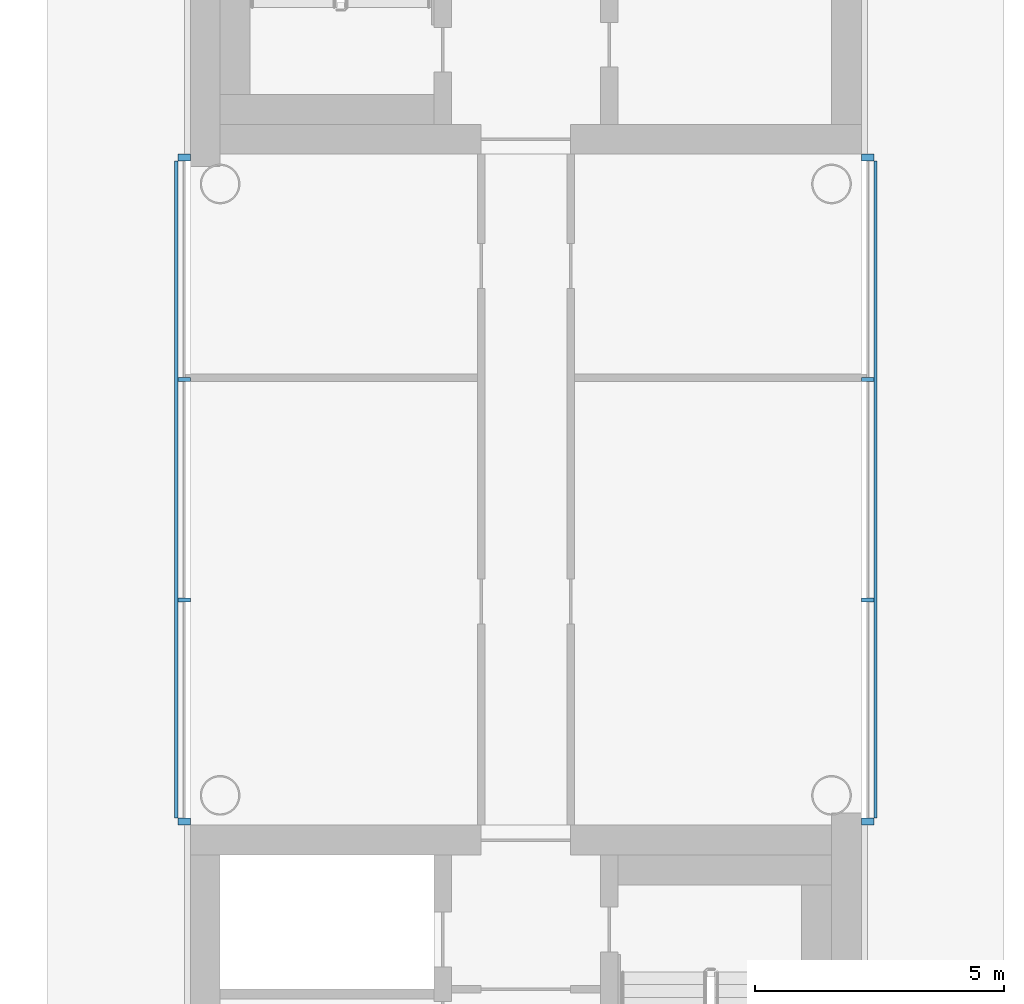
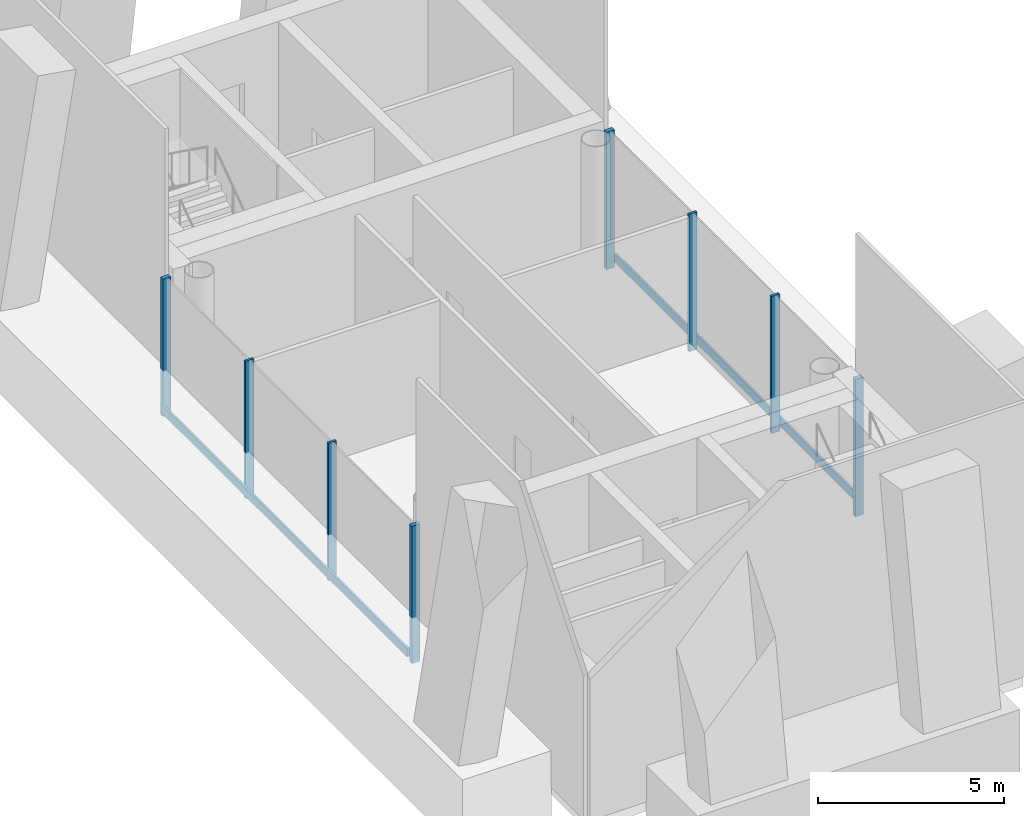
# One storey, part 3 of 12: 10 members, 2 elements without a shape of their own.
"""IFC4 building model written with IfcOpenShell, lengths in metres."""

import ifcopenshell
import ifcopenshell.guid

model = None  # the IFC model being written
_history = None  # IfcOwnerHistory: only IFC2X3 demands one
_inside = {}  # id of a spatial element -> (the spatial element, [elements in it])
_under = {}  # id of a project, library or spatial element -> (it, [spatial elements below it])
_declared = {}  # id of a project -> (the project, [libraries it declares])
_typed = {}  # id of a type object -> (the type object, [elements of that type])
_made_of = {}  # id of a material, layer set ... -> (it, [elements and type objects made of it])


def new_model(schema):
    """Start an empty IFC model of exactly this schema.

    Asked for "IFC4X3", IfcOpenShell would pick the latest addendum, in which some entities
    have other attributes; the version numbers below select the first issue.
    IFC2X3 requires an IfcOwnerHistory on every rooted entity: one is made here for all.
    """
    global model, _history
    if schema == "IFC4X3":
        model = ifcopenshell.file(schema_version=(4, 3, 0, 0))
    else:
        model = ifcopenshell.file(schema=schema)
    _inside.clear()
    _under.clear()
    _declared.clear()
    _typed.clear()
    _made_of.clear()
    _history = None
    if model.schema == "IFC2X3":
        org = make("IfcOrganization", Name="unknown")
        user = make(
            "IfcPersonAndOrganization",
            ThePerson=make("IfcPerson", FamilyName="unknown"),
            TheOrganization=org,
        )
        app = make(
            "IfcApplication",
            ApplicationDeveloper=org,
            Version="unknown",
            ApplicationFullName="unknown",
            ApplicationIdentifier="unknown",
        )
        _history = make(
            "IfcOwnerHistory",
            OwningUser=user,
            OwningApplication=app,
            ChangeAction="ADDED",
            CreationDate=0,
        )
    return model


def make(cls, **values):
    """One entity of the class cls with the attributes given. An attribute that is None is left unset."""
    return model.create_entity(
        cls, **{name: value for name, value in values.items() if value is not None}
    )


def rooted(cls, **values):
    """An entity with a GlobalId (a new one), such as an element, a storey or a relation."""
    return make(cls, GlobalId=ifcopenshell.guid.new(), OwnerHistory=_history, **values)


def si_unit(unit_type, name, prefix=None):
    """IfcSIUnit, for example si_unit("LENGTHUNIT", "METRE", prefix="MILLI")."""
    return make("IfcSIUnit", UnitType=unit_type, Prefix=prefix, Name=name)


def assignment(units):
    """IfcUnitAssignment: the units of a project."""
    return None if units is None else make("IfcUnitAssignment", Units=units)


def point(xyz):
    """IfcCartesianPoint."""
    return None if xyz is None else make("IfcCartesianPoint", Coordinates=xyz)


def direction(xyz):
    """IfcDirection."""
    return None if xyz is None else make("IfcDirection", DirectionRatios=xyz)


def frame(location, z_axis=None, x_axis=None):
    """IfcAxis2Placement3D, a coordinate frame: its origin and axes. An axis left out is left unset."""
    return make(
        "IfcAxis2Placement3D",
        Location=point(location),
        Axis=direction(z_axis),
        RefDirection=direction(x_axis),
    )


def frame_2d(location, x_axis=None):
    """IfcAxis2Placement2D, a coordinate frame in the plane: its origin and x axis."""
    return make(
        "IfcAxis2Placement2D", Location=point(location), RefDirection=direction(x_axis)
    )


def origin():
    """The frame at (0, 0, 0) with its axes left unset."""
    return frame((0.0, 0.0, 0.0))


def origin_2d():
    """The frame at (0, 0) in the plane with its x axis left unset."""
    return frame_2d((0.0, 0.0))


def place(relative_to, where):
    """IfcLocalPlacement: puts the frame where relative to a parent placement (None: the world)."""
    return make(
        "IfcLocalPlacement", PlacementRelTo=relative_to, RelativePlacement=where
    )


def context(
    kind, dimensions, precision=None, world=None, true_north=None, identifier=None
):
    """IfcGeometricRepresentationContext, for example the 3D "Model" context."""
    return make(
        "IfcGeometricRepresentationContext",
        ContextIdentifier=identifier,
        ContextType=kind,
        CoordinateSpaceDimension=dimensions,
        Precision=precision,
        WorldCoordinateSystem=world,
        TrueNorth=true_north,
    )


def subcontext(parent, identifier, kind, view, scale=None):
    """IfcGeometricRepresentationSubContext, for example "Body" below "Model"."""
    return make(
        "IfcGeometricRepresentationSubContext",
        ContextIdentifier=identifier,
        ContextType=kind,
        ParentContext=parent,
        TargetScale=scale,
        TargetView=view,
    )


def project(units=None, contexts=None):
    """IfcProject with its units and contexts."""
    return rooted(
        "IfcProject",
        Name="project",
        RepresentationContexts=contexts,
        UnitsInContext=assignment(units),
    )


def spatial(cls, under=None, at=None, **own):
    """A site, building, storey or space (cls), placed at a placement, below another one or the project."""
    s = rooted(cls, ObjectPlacement=at, **own)
    if under is not None:
        _under.setdefault(under.id(), (under, []))[1].append(s)
    return s


def profile(cls, at=None, kind="AREA", **sizes):
    """A parametric profile (cls). Its sizes go by their IFC names, for example OverallWidth=200.0."""
    return make(cls, ProfileType=kind, Position=at, **sizes)


def rectangle(**sizes):
    """IfcRectangleProfileDef."""
    return profile("IfcRectangleProfileDef", **sizes)


def extrude(swept, where, along, depth):
    """IfcExtrudedAreaSolid: the profile swept, set in the frame where, extruded along a direction by depth."""
    return make(
        "IfcExtrudedAreaSolid",
        SweptArea=swept,
        Position=where,
        ExtrudedDirection=direction(along),
        Depth=depth,
    )


def shape(context_of_items, identifier, shape_type, items):
    """IfcShapeRepresentation: the items that make up one representation, for example the "Body"."""
    return make(
        "IfcShapeRepresentation",
        ContextOfItems=context_of_items,
        RepresentationIdentifier=identifier,
        RepresentationType=shape_type,
        Items=items,
    )


def material(Name=None, Category=None):
    """IfcMaterial."""
    return make("IfcMaterial", Name=Name, Category=Category)


def layer(
    of_material, thickness, ventilated=None, Name=None, Category=None, Priority=None
):
    """IfcMaterialLayer: one layer of a wall or slab, of a material (None: an air gap)."""
    return make(
        "IfcMaterialLayer",
        Material=of_material,
        LayerThickness=thickness,
        IsVentilated=ventilated,
        Name=Name,
        Category=Category,
        Priority=Priority,
    )


def layer_set(layers, Name=None):
    """IfcMaterialLayerSet."""
    return make("IfcMaterialLayerSet", MaterialLayers=layers, LayerSetName=Name)


def material_profile(
    of_material, cross_section, Name=None, Category=None, Priority=None
):
    """IfcMaterialProfile: a cross section and its material."""
    return make(
        "IfcMaterialProfile",
        Name=Name,
        Material=of_material,
        Profile=cross_section,
        Priority=Priority,
        Category=Category,
    )


def profile_set(profiles, Name=None, composite=None):
    """IfcMaterialProfileSet."""
    return make(
        "IfcMaterialProfileSet",
        Name=Name,
        MaterialProfiles=profiles,
        CompositeProfile=composite,
    )


def made_of(thing, what):
    """Note that an element or type object is made of a material, layer set ...; save() writes the relation."""
    if what is not None:
        _made_of.setdefault(what.id(), (what, []))[1].append(thing)
    return thing


def type_object(cls, material=None, **own):
    """A type object (cls), such as IfcWallType, which elements share."""
    return made_of(rooted(cls, **own), material)


def element(
    cls,
    number,
    at=None,
    inside=None,
    cuts=None,
    type_object=None,
    material=None,
    context=None,
    identifier="Body",
    shape_type=None,
    held_by="IfcProductDefinitionShape",
    body=None,
    shapes=None,
    **own,
):
    """One element of the class cls, such as IfcWall. Its Tag is "e" and its number.

    at: its placement. inside: the storey or other place that contains it. cuts: it is an
    opening in that element (IfcRelVoidsElement). A single representation is given by context,
    identifier, shape_type and body (its items); several are given by shapes. held_by: the class
    of the entity that holds the representations. save() writes the other relations.
    """
    e = rooted(cls, Tag="e%d" % number, ObjectPlacement=at, **own)
    if body is not None:
        shapes = [shape(context, identifier, shape_type, body)]
    if shapes is not None:
        e.Representation = make(held_by, Representations=shapes)
    if inside is not None:
        _inside.setdefault(inside.id(), (inside, []))[1].append(e)
    if cuts is not None:
        rooted(
            "IfcRelVoidsElement", RelatingBuildingElement=cuts, RelatedOpeningElement=e
        )
    if type_object is not None:
        _typed.setdefault(type_object.id(), (type_object, []))[1].append(e)
    return made_of(e, material)


def aggregate(whole, parts):
    """IfcRelAggregates: a whole, such as a stair, and the parts it consists of."""
    return rooted("IfcRelAggregates", RelatingObject=whole, RelatedObjects=parts)


def save(model, path):
    """Write the relations noted so far, then the file.

    IfcRelAggregates (storeys below a building ...), IfcRelContainedInSpatialStructure (elements
    in a storey), IfcRelDefinesByType, IfcRelAssociatesMaterial and IfcRelDeclares: one each for
    every whole, place, type object, material and project.
    """
    for whole, parts in _under.values():
        aggregate(whole, parts)
    for where, things in _inside.values():
        rooted(
            "IfcRelContainedInSpatialStructure",
            RelatedElements=things,
            RelatingStructure=where,
        )
    for kind, things in _typed.values():
        rooted("IfcRelDefinesByType", RelatedObjects=things, RelatingType=kind)
    for what, things in _made_of.values():
        rooted("IfcRelAssociatesMaterial", RelatedObjects=things, RelatingMaterial=what)
    for by, libraries in _declared.values():
        rooted("IfcRelDeclares", RelatingContext=by, RelatedDefinitions=libraries)
    model.write(path)


model = new_model("IFC4")

# Units and contexts
model_context = context("Model", 3, precision=1e-05, world=origin(), true_north=direction((0.0, 1.0)))
body_context = subcontext(model_context, "Body", "Model", "MODEL_VIEW")
ifc_project = project(units=[si_unit("LENGTHUNIT", "METRE"), si_unit("AREAUNIT", "SQUARE_METRE"), si_unit("VOLUMEUNIT", "CUBIC_METRE"), si_unit("PLANEANGLEUNIT", "RADIAN"), si_unit("MASSUNIT", "GRAM", prefix="KILO")], contexts=[model_context])

# Site, building, storey
site_placement = place(None, origin())
site = spatial("IfcSite", under=ifc_project, at=site_placement, CompositionType="ELEMENT")
building_placement = place(site_placement, origin())
building = spatial("IfcBuilding", under=site, at=building_placement, Name="Ipe Terrace Towers", CompositionType="ELEMENT")
storey_placement = place(building_placement, frame((0.0, 0.0, 255.89990234375)))
storey = spatial("IfcBuildingStorey", under=building, at=storey_placement, Name="L70", CompositionType="ELEMENT", Elevation=255.89990234375)

# Curtain wall, members
ifc_material_1 = material(Name="Aluminium alloy 6063-T6", Category="aluminium")
ifc_layer = layer(ifc_material_1, 0.320068359375)
ifc_layer_set = layer_set([ifc_layer], Name="LANTERN CURTAIN WALL")
curtain_wall_type = type_object("IfcCurtainWallType", Name="LANTERN CURTAIN WALL", PredefinedType="NOTDEFINED", material=ifc_layer_set)
curtain_wall_1_placement = place(storey_placement, origin())
curtain_wall_1 = element("IfcCurtainWall", 1, at=curtain_wall_1_placement, inside=storey, type_object=curtain_wall_type, Name="T2-CW-L70-00b curtain wall", PredefinedType="NOTDEFINED")
ifc_material_2 = material(Name="Aluminium alloy 6063-T6", Category="aluminium")
ifc_material_profile_1 = material_profile(ifc_material_2, rectangle(XDim=0.25, YDim=0.139892578125, at=origin_2d()), Name="LANTERN CORNER MULLION 250 x 140")
ifc_profile_set_1 = profile_set([ifc_material_profile_1], Name="Aluminium alloy 6063-T6")
member_type_1 = type_object("IfcMemberType", Name="LANTERN CORNER MULLION 250 x 140", PredefinedType="MULLION", material=ifc_profile_set_1)
member_1_placement = place(storey_placement, frame((42.875, -6.678955078125, -0.2998046875), z_axis=(0.0, 0.0, 1.0), x_axis=(1.0, 0.0, 0.0)))
member_1 = element("IfcMember", 2, at=member_1_placement, type_object=member_type_1, Name="T2-CW-L70-00b mullion 1", PredefinedType="MULLION", context=body_context, shape_type="SweptSolid", body=[
    extrude(rectangle(XDim=0.25, YDim=0.139892578125, at=origin_2d()), origin(), (0.0, 0.0, 1.0), 4.5),
])
member_2_placement = place(storey_placement, frame((42.875, 6.678955078125, -0.2998046875), z_axis=(0.0, 0.0, 1.0), x_axis=(1.0, 0.0, 0.0)))
member_2 = element("IfcMember", 3, at=member_2_placement, type_object=member_type_1, Name="T2-CW-L70-00b mullion 4", PredefinedType="MULLION", context=body_context, shape_type="SweptSolid", body=[
    extrude(rectangle(XDim=0.25, YDim=0.139892578125, at=origin_2d()), origin(), (0.0, 0.0, 1.0), 4.5),
])

curtain_wall_2_placement = place(storey_placement, origin())
curtain_wall_2 = element("IfcCurtainWall", 4, at=curtain_wall_2_placement, inside=storey, type_object=curtain_wall_type, Name="T2-CW-L70-02b curtain wall", PredefinedType="NOTDEFINED")
member_3_placement = place(storey_placement, frame((29.125, 6.678955078125, -0.2998046875), z_axis=(0.0, 0.0, 1.0), x_axis=(-1.0, 0.0, 0.0)))
member_3 = element("IfcMember", 5, at=member_3_placement, type_object=member_type_1, Name="T2-CW-L70-02b mullion 1", PredefinedType="MULLION", context=body_context, shape_type="SweptSolid", body=[
    extrude(rectangle(XDim=0.25, YDim=0.139892578125, at=origin_2d()), origin(), (0.0, 0.0, 1.0), 4.5),
])
member_4_placement = place(storey_placement, frame((29.125, -6.678955078125, -0.2998046875), z_axis=(0.0, 0.0, 1.0), x_axis=(-1.0, 0.0, 0.0)))
member_4 = element("IfcMember", 6, at=member_4_placement, type_object=member_type_1, Name="T2-CW-L70-02b mullion 4", PredefinedType="MULLION", context=body_context, shape_type="SweptSolid", body=[
    extrude(rectangle(XDim=0.25, YDim=0.139892578125, at=origin_2d()), origin(), (0.0, 0.0, 1.0), 4.5),
])

# Member
ifc_material_3 = material(Name="Aluminium alloy 6063-T6", Category="aluminium")
ifc_material_profile_2 = material_profile(ifc_material_3, rectangle(XDim=0.25, YDim=0.080078125, at=origin_2d()), Name="LANTERN MULLION 250 x 80")
ifc_profile_set_2 = profile_set([ifc_material_profile_2], Name="Aluminium alloy 6063-T6")
member_type_2 = type_object("IfcMemberType", Name="LANTERN MULLION 250 x 80", PredefinedType="MULLION", material=ifc_profile_set_2)
member_5_placement = place(storey_placement, frame((42.875, -2.21630859375, -0.2998046875), z_axis=(0.0, 0.0, 1.0), x_axis=(1.0, 0.0, 0.0)))
member_5 = element("IfcMember", 7, at=member_5_placement, type_object=member_type_2, Name="T2-CW-L70-00b mullion 2", PredefinedType="MULLION", context=body_context, shape_type="SweptSolid", body=[
    extrude(rectangle(XDim=0.25, YDim=0.080078125, at=origin_2d()), origin(), (0.0, 0.0, 1.0), 4.5),
])

member_6_placement = place(storey_placement, frame((42.875, 2.21630859375, -0.2998046875), z_axis=(0.0, 0.0, 1.0), x_axis=(1.0, 0.0, 0.0)))
member_6 = element("IfcMember", 8, at=member_6_placement, type_object=member_type_2, Name="T2-CW-L70-00b mullion 3", PredefinedType="MULLION", context=body_context, shape_type="SweptSolid", body=[
    extrude(rectangle(XDim=0.25, YDim=0.080078125, at=origin_2d()), origin(), (0.0, 0.0, 1.0), 4.5),
])

member_7_placement = place(storey_placement, frame((29.125, 2.21630859375, -0.2998046875), z_axis=(0.0, 0.0, 1.0), x_axis=(-1.0, 0.0, 0.0)))
member_7 = element("IfcMember", 9, at=member_7_placement, type_object=member_type_2, Name="T2-CW-L70-02b mullion 2", PredefinedType="MULLION", context=body_context, shape_type="SweptSolid", body=[
    extrude(rectangle(XDim=0.25, YDim=0.080078125, at=origin_2d()), origin(), (0.0, 0.0, 1.0), 4.5),
])

member_8_placement = place(storey_placement, frame((29.125, -2.21630859375, -0.2998046875), z_axis=(0.0, 0.0, 1.0), x_axis=(-1.0, 0.0, 0.0)))
member_8 = element("IfcMember", 10, at=member_8_placement, type_object=member_type_2, Name="T2-CW-L70-02b mullion 3", PredefinedType="MULLION", context=body_context, shape_type="SweptSolid", body=[
    extrude(rectangle(XDim=0.25, YDim=0.080078125, at=origin_2d()), origin(), (0.0, 0.0, 1.0), 4.5),
])

ifc_material_4 = material(Name="Aluminium alloy 6063-T6", Category="aluminium")
ifc_material_profile_3 = material_profile(ifc_material_4, rectangle(XDim=0.070068359375, YDim=0.280029296875, at=origin_2d()), Name="LANTERN TRANSOM 70 x 280")
ifc_profile_set_3 = profile_set([ifc_material_profile_3], Name="Aluminium alloy 6063-T6")
member_type_3 = type_object("IfcMemberType", Name="LANTERN TRANSOM 70 x 280", PredefinedType="USERDEFINED", material=ifc_profile_set_3)
member_9_placement = place(storey_placement, frame((43.034912109375, -6.60888671875, 0.0), z_axis=(0.0, 1.0, 0.0), x_axis=(1.0, 0.0, 0.0)))
member_9 = element("IfcMember", 11, at=member_9_placement, type_object=member_type_3, Name="T2-CW-L70-00b transom", ObjectType="TRANSOM", PredefinedType="USERDEFINED", context=body_context, shape_type="SweptSolid", body=[
    extrude(rectangle(XDim=0.070068359375, YDim=0.280029296875, at=origin_2d()), origin(), (0.0, 0.0, 1.0), 13.2177734375),
])

aggregate(curtain_wall_1, [member_1, member_5, member_6, member_2, member_9])

member_10_placement = place(storey_placement, frame((28.965087890625, 6.60888671875, 0.0), z_axis=(0.0, -1.0, 0.0), x_axis=(-1.0, 0.0, 0.0)))
member_10 = element("IfcMember", 12, at=member_10_placement, type_object=member_type_3, Name="T2-CW-L70-02b transom", ObjectType="TRANSOM", PredefinedType="USERDEFINED", context=body_context, shape_type="SweptSolid", body=[
    extrude(rectangle(XDim=0.070068359375, YDim=0.280029296875, at=origin_2d()), origin(), (0.0, 0.0, 1.0), 13.2177734375),
])

aggregate(curtain_wall_2, [member_3, member_7, member_8, member_4, member_10])

save(model, "model.ifc")
